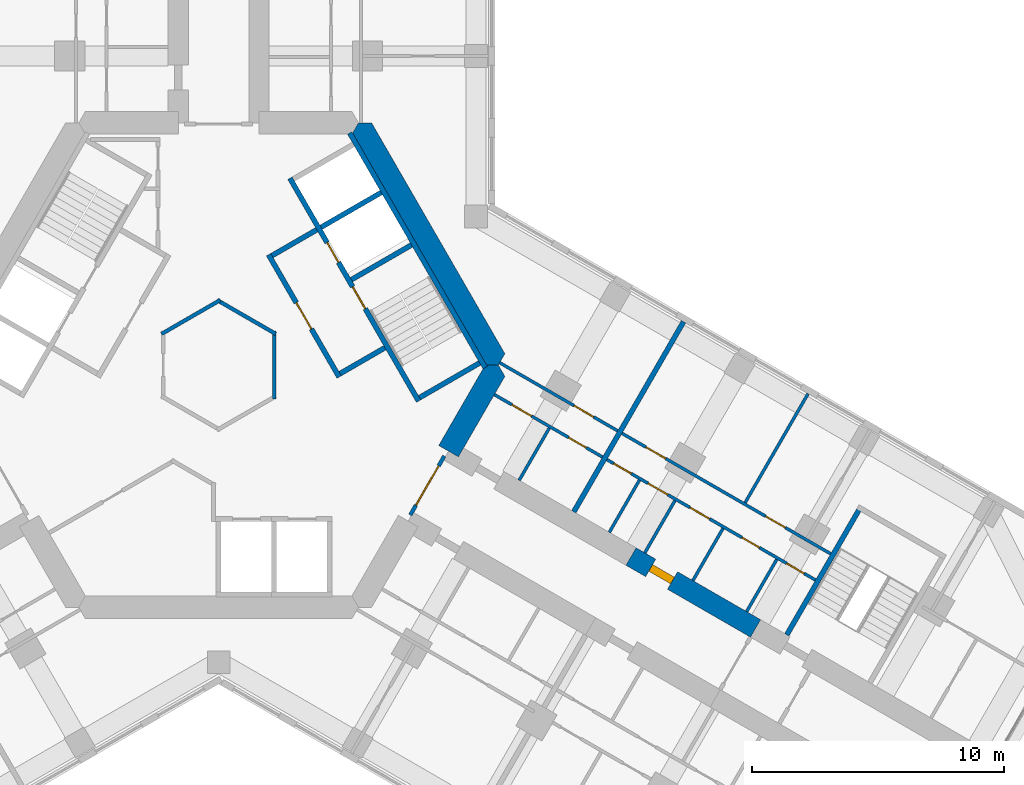
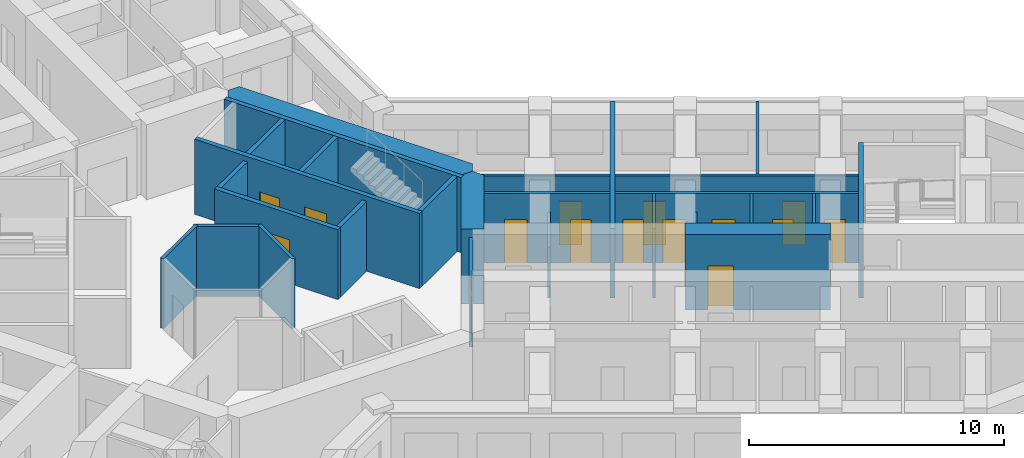
# One storey, part 15 of 19: 27 walls, 15 doors, 15 openings.
"""IFC4 building model written with IfcOpenShell, lengths in metres."""

from ifc_helpers import new_model, si_unit, direction, frame, frame_2d, origin, place, context, subcontext, project, spatial, polyline, rectangle, outline, extrude, material, layer, layer_set, type_object, element, fill, save


model = new_model("IFC4")

# Units and contexts
model_context = context("Model", 3, precision=1e-05, world=origin(), true_north=direction((0.0, 1.0)))
body_context = subcontext(model_context, "Body", "Model", "MODEL_VIEW")
ifc_project = project(units=[si_unit("LENGTHUNIT", "METRE"), si_unit("AREAUNIT", "SQUARE_METRE"), si_unit("VOLUMEUNIT", "CUBIC_METRE"), si_unit("PLANEANGLEUNIT", "RADIAN"), si_unit("MASSUNIT", "GRAM", prefix="KILO")], contexts=[model_context])

# Site, building, storey
site_placement = place(None, origin())
site = spatial("IfcSite", under=ifc_project, at=site_placement, CompositionType="ELEMENT")
building_placement = place(site_placement, origin())
building = spatial("IfcBuilding", under=site, at=building_placement, Name="Kosmar Iwan School Tower", CompositionType="ELEMENT")
storey_placement = place(building_placement, frame((0.0, 0.0, 138.199951171875)))
storey = spatial("IfcBuildingStorey", under=building, at=storey_placement, Name="L34", CompositionType="ELEMENT", Elevation=138.199951171875)

# Walls
ifc_material_1 = material(Name="Gypsum board on steel studs, fire-rated", Category="steel")
ifc_layer_1 = layer(ifc_material_1, 0.14990234375)
ifc_layer_set_1 = layer_set([ifc_layer_1], Name="Core room partition 150")
wall_type_1 = type_object("IfcWallType", Name="Core room partition 150", PredefinedType="PARTITIONING", material=ifc_layer_set_1)
for number, where, z_axis, x_axis, name in (
    (1, (-2.264892578125, 1.232666015625, 0.0), (0.0, 0.0, 1.0), (0.866011792348, 0.500023574959, 0.0), "Core room partition L34-CW11"),
    (2, (-0.06494140625, 2.577880859375, 0.0), (0.0, 0.0, 1.0), (0.866011792348, -0.500023574959, 0.0), "Core room partition L34-CW12"),
):
    element("IfcWall", number, at=place(storey_placement, frame(where, z_axis=z_axis, x_axis=x_axis)), inside=storey, type_object=wall_type_1, Name=name, PredefinedType="PARTITIONING", context=body_context, shape_type="SweptSolid", body=[
        extrude(rectangle(XDim=2.690185546875, YDim=0.14990234375, at=frame_2d((1.34521484375, 0.0))), origin(), (0.0, 0.0, 1.0), 3.35009765625),
    ])
wall_1_placement = place(storey_placement, frame((2.199951171875, 1.34521484375, 0.0), z_axis=(0.0, 0.0, 1.0), x_axis=(0.0, -1.0, 0.0)))
element("IfcWall", 3, at=wall_1_placement, inside=storey, type_object=wall_type_1, Name="Core room partition L34-CW13", PredefinedType="PARTITIONING", context=body_context, shape_type="SweptSolid", body=[
    extrude(rectangle(XDim=2.6904296875, YDim=0.14990234375, at=frame_2d((1.34521484375, 0.0))), origin(), (0.0, 0.0, 1.0), 3.35009765625),
])
ifc_material_2 = material(Name="Concrete C50/60", Category="concrete")
ifc_layer_2 = layer(ifc_material_2, 0.89990234375)
ifc_layer_set_2 = layer_set([ifc_layer_2], Name="Core wall 900")
wall_type_2 = type_object("IfcWallType", Name="Core wall 900", PredefinedType="SHEAR", material=ifc_layer_set_2)
wall_2_placement = place(storey_placement, origin())
element("IfcWall", 4, at=wall_2_placement, inside=storey, type_object=wall_type_2, Name="Core wall F030", PredefinedType="SHEAR", context=body_context, shape_type="SweptSolid", body=[
    extrude(outline(polyline([(10.5654296875, 0.0), (11.085205078125, 0.0), (11.344970703125, 0.449951171875), (6.062255859375, 9.60009765625), (5.54248046875, 9.60009765625), (5.28271484375, 9.14990234375), (10.5654296875, 0.0)])), origin(), (0.0, 0.0, 1.0), 3.60009765625),
])
wall_3_placement = place(storey_placement, origin())
element("IfcWall", 5, at=wall_3_placement, inside=storey, type_object=wall_type_2, Name="Core wall F330b", PredefinedType="SHEAR", context=body_context, shape_type="SweptSolid", body=[
    extrude(outline(polyline([(9.503662109375, -3.639404296875), (11.344970703125, -0.449951171875), (11.085205078125, 0.0), (10.5654296875, 0.0), (8.72412109375, -3.189453125), (9.503662109375, -3.639404296875)])), origin(), (0.0, 0.0, 1.0), 3.60009765625),
])

# Wall, opening, door
ifc_material_3 = material(Name="Concrete C50/60", Category="concrete")
ifc_layer_3 = layer(ifc_material_3, 0.800048828125)
ifc_layer_set_3 = layer_set([ifc_layer_3], Name="Corridor buttress wall 800")
wall_type_3 = type_object("IfcWallType", Name="Corridor buttress wall 800", PredefinedType="SHEAR", material=ifc_layer_set_3)
wall_4_placement = place(storey_placement, frame((16.34521484375, -7.58935546875, 0.0), z_axis=(0.0, 0.0, 1.0), x_axis=(0.866015111908, -0.50001782563, 0.0)))
wall_4 = element("IfcWall", 6, at=wall_4_placement, inside=storey, type_object=wall_type_3, Name="Corridor wall CL bay 2", PredefinedType="SHEAR", context=body_context, shape_type="SweptSolid", body=[
    extrude(rectangle(XDim=5.699951171875, YDim=0.800048828125, at=frame_2d((2.85009765625, 0.0))), origin(), (0.0, 0.0, 1.0), 3.60009765625),
])
opening_1_placement = place(wall_4_placement, frame((0.89990234375, 0.0, 0.0)))
opening_1 = element("IfcOpeningElement", 7, at=opening_1_placement, cuts=wall_4, Name="Opening D1", PredefinedType="OPENING", context=body_context, shape_type="SweptSolid", body=[
    extrude(rectangle(XDim=1.0, YDim=2.10009765625, at=frame_2d((0.5, 1.050048828125))), frame((0.0, 0.412109375, 0.0), z_axis=(0.0, -1.0, 0.0), x_axis=(1.0, 0.0, 0.0)), (0.0, 0.0, 1.0), 0.823974609375),
])
ifc_material_4 = material(Name="Timber fire door in steel frame", Category="steel")
door_type_1 = type_object("IfcDoorType", Name="Flat entrance door 1000x2100", OperationType="SINGLE_SWING_LEFT", PredefinedType="DOOR", material=ifc_material_4)
door_1_placement = place(opening_1_placement, origin())
door_1 = element("IfcDoor", 8, at=door_1_placement, inside=storey, type_object=door_type_1, Name="Flat L34-CL2 entrance door", OperationType="SINGLE_SWING_LEFT", OverallHeight=2.10009765625, OverallWidth=1.0, PredefinedType="DOOR", context=body_context, shape_type="SweptSolid", body=[
    extrude(rectangle(XDim=1.0, YDim=2.10009765625, at=frame_2d((0.5, 1.050048828125))), frame((0.0, 0.14990234375, 0.0), z_axis=(0.0, -1.0, 0.0), x_axis=(1.0, 0.0, 0.0)), (0.0, 0.0, 1.0), 0.300048828125),
])
fill(opening_1, door_1)

ifc_material_5 = material(Name="Steel framed glazed screen", Category="steel")
ifc_layer_4 = layer(ifc_material_5, 0.14990234375)
ifc_layer_set_4 = layer_set([ifc_layer_4], Name="Corridor screen wall 150")
wall_type_4 = type_object("IfcWallType", Name="Corridor screen wall 150", PredefinedType="PARTITIONING", material=ifc_layer_set_4)
wall_5_placement = place(storey_placement, frame((7.595458984375, -5.944091796875, 0.0), z_axis=(0.0, 0.0, 1.0), x_axis=(0.500048589285, 0.86599734893, 0.0)))
wall_5 = element("IfcWall", 9, at=wall_5_placement, inside=storey, type_object=wall_type_4, Name="Corridor screen C L34", PredefinedType="PARTITIONING", context=body_context, shape_type="SweptSolid", body=[
    extrude(rectangle(XDim=2.699951171875, YDim=0.14990234375, at=frame_2d((1.35009765625, 0.0))), origin(), (0.0, 0.0, 1.0), 3.35009765625),
])
opening_2_placement = place(wall_5_placement, frame((0.449951171875, 0.0, 0.0)))
opening_2 = element("IfcOpeningElement", 10, at=opening_2_placement, cuts=wall_5, Name="Opening D9", PredefinedType="OPENING", context=body_context, shape_type="SweptSolid", body=[
    extrude(rectangle(XDim=1.800048828125, YDim=2.10009765625, at=frame_2d((0.89990234375, 1.050048828125))), frame((0.0, 0.0869140625, 0.0), z_axis=(0.0, -1.0, 0.0), x_axis=(1.0, 0.0, 0.0)), (0.0, 0.0, 1.0), 0.173828125),
])
ifc_material_6 = material(Name="Steel framed glazed smoke door", Category="steel")
door_type_2 = type_object("IfcDoorType", Name="Corridor smoke door pair 1800x2100", OperationType="DOUBLE_DOOR_DOUBLE_SWING", PredefinedType="DOOR", material=ifc_material_6)
door_2_placement = place(opening_2_placement, origin())
door_2 = element("IfcDoor", 11, at=door_2_placement, inside=storey, type_object=door_type_2, Name="Corridor doors C L34", OperationType="DOUBLE_DOOR_DOUBLE_SWING", OverallHeight=2.10009765625, OverallWidth=1.800048828125, PredefinedType="DOOR", context=body_context, shape_type="SweptSolid", body=[
    extrude(rectangle(XDim=1.800048828125, YDim=2.10009765625, at=frame_2d((0.89990234375, 1.050048828125))), frame((0.0, 0.02490234375, 0.0), z_axis=(0.0, -1.0, 0.0), x_axis=(1.0, 0.0, 0.0)), (0.0, 0.0, 1.0), 0.050048828125),
])
fill(opening_2, door_2)

# Wall, openings, doors
ifc_material_7 = material(Name="Gypsum board on steel studs", Category="steel")
ifc_layer_5 = layer(ifc_material_7, 0.1201171875)
ifc_layer_set_5 = layer_set([ifc_layer_5], Name="Dwelling partition 120")
wall_type_5 = type_object("IfcWallType", Name="Dwelling partition 120", PredefinedType="PARTITIONING", material=ifc_layer_set_5)
wall_6_placement = place(storey_placement, frame((10.928466796875, -1.171142578125, 0.0), z_axis=(0.0, 0.0, 1.0), x_axis=(0.866018855338, -0.500011342071, 0.0)))
wall_6 = element("IfcWall", 12, at=wall_6_placement, inside=storey, type_object=wall_type_5, Name="Partition L34-CL1-W1", PredefinedType="PARTITIONING", context=body_context, shape_type="SweptSolid", body=[
    extrude(rectangle(XDim=4.9501953125, YDim=0.1201171875, at=frame_2d((2.47509765625, 0.0))), origin(), (0.0, 0.0, 1.0), 3.35009765625),
])
opening_3_placement = place(wall_6_placement, frame((0.800048828125, 0.0, 0.0)))
opening_3 = element("IfcOpeningElement", 13, at=opening_3_placement, cuts=wall_6, Name="Opening D2", PredefinedType="OPENING", context=body_context, shape_type="SweptSolid", body=[
    extrude(rectangle(XDim=0.89990234375, YDim=2.10009765625, at=frame_2d((0.449951171875, 1.050048828125))), frame((0.0, 0.072021484375, 0.0), z_axis=(0.0, -1.0, 0.0), x_axis=(1.0, 0.0, 0.0)), (0.0, 0.0, 1.0), 0.14404296875),
])
opening_4_placement = place(wall_6_placement, frame((3.39990234375, 0.0, 0.0)))
opening_4 = element("IfcOpeningElement", 14, at=opening_4_placement, cuts=wall_6, Name="Opening D3", PredefinedType="OPENING", context=body_context, shape_type="SweptSolid", body=[
    extrude(rectangle(XDim=0.800048828125, YDim=2.10009765625, at=frame_2d((0.39990234375, 1.050048828125))), frame((0.0, 0.072021484375, 0.0), z_axis=(0.0, -1.0, 0.0), x_axis=(1.0, 0.0, 0.0)), (0.0, 0.0, 1.0), 0.14404296875),
])
ifc_material_8 = material(Name="Timber door in timber frame", Category="wood")
door_type_3 = type_object("IfcDoorType", Name="Internal door 900x2100", OperationType="SINGLE_SWING_LEFT", PredefinedType="DOOR", material=ifc_material_8)
door_3_placement = place(opening_3_placement, origin())
door_3 = element("IfcDoor", 15, at=door_3_placement, inside=storey, type_object=door_type_3, Name="Entrance hall door L34-CL1-S1", OperationType="SINGLE_SWING_LEFT", OverallHeight=2.10009765625, OverallWidth=0.89990234375, PredefinedType="DOOR", context=body_context, shape_type="SweptSolid", body=[
    extrude(rectangle(XDim=0.89990234375, YDim=2.10009765625, at=frame_2d((0.449951171875, 1.050048828125))), frame((0.0, 0.02490234375, 0.0), z_axis=(0.0, -1.0, 0.0), x_axis=(1.0, 0.0, 0.0)), (0.0, 0.0, 1.0), 0.050048828125),
])
fill(opening_3, door_3)
ifc_material_9 = material(Name="Timber door in timber frame", Category="wood")
door_type_4 = type_object("IfcDoorType", Name="Sanitary room door 800x2100", OperationType="SINGLE_SWING_LEFT", PredefinedType="DOOR", material=ifc_material_9)
door_4_placement = place(opening_4_placement, origin())
door_4 = element("IfcDoor", 16, at=door_4_placement, inside=storey, type_object=door_type_4, Name="Bathroom door L34-CL1-S2", OperationType="SINGLE_SWING_RIGHT", OverallHeight=2.10009765625, OverallWidth=0.800048828125, PredefinedType="DOOR", context=body_context, shape_type="SweptSolid", body=[
    extrude(rectangle(XDim=0.800048828125, YDim=2.10009765625, at=frame_2d((0.39990234375, 1.050048828125))), frame((0.0, 0.02490234375, 0.0), z_axis=(0.0, -1.0, 0.0), x_axis=(1.0, 0.0, 0.0)), (0.0, 0.0, 1.0), 0.050048828125),
])
fill(opening_4, door_4)

# Wall, opening, door
wall_7_placement = place(storey_placement, frame((11.138916015625, 0.093017578125, 0.0), z_axis=(0.0, 0.0, 1.0), x_axis=(0.866028230842, -0.499995103361, 0.0)))
wall_7 = element("IfcWall", 17, at=wall_7_placement, inside=storey, type_object=wall_type_5, Name="Partition L34-CL1-W2", PredefinedType="PARTITIONING", context=body_context, shape_type="SweptSolid", body=[
    extrude(rectangle(XDim=5.39990234375, YDim=0.1201171875, at=frame_2d((2.699951171875, 0.0))), origin(), (0.0, 0.0, 1.0), 3.35009765625),
])
opening_5_placement = place(wall_7_placement, frame((3.39990234375, 0.0, 0.0)))
opening_5 = element("IfcOpeningElement", 18, at=opening_5_placement, cuts=wall_7, Name="Opening D2", PredefinedType="OPENING", context=body_context, shape_type="SweptSolid", body=[
    extrude(rectangle(XDim=0.89990234375, YDim=2.10009765625, at=frame_2d((0.449951171875, 1.050048828125))), frame((0.0, 0.072021484375, 0.0), z_axis=(0.0, -1.0, 0.0), x_axis=(1.0, 0.0, 0.0)), (0.0, 0.0, 1.0), 0.14404296875),
])
door_5_placement = place(opening_5_placement, origin())
door_5 = element("IfcDoor", 19, at=door_5_placement, inside=storey, type_object=door_type_3, Name="Studio living room and kitchen door L34-CL1-F1", OperationType="SINGLE_SWING_RIGHT", OverallHeight=2.10009765625, OverallWidth=0.89990234375, PredefinedType="DOOR", context=body_context, shape_type="SweptSolid", body=[
    extrude(rectangle(XDim=0.89990234375, YDim=2.10009765625, at=frame_2d((0.449951171875, 1.050048828125))), frame((0.0, 0.02490234375, 0.0), z_axis=(0.0, -1.0, 0.0), x_axis=(1.0, 0.0, 0.0)), (0.0, 0.0, 1.0), 0.050048828125),
])
fill(opening_5, door_5)

# Wall
wall_8_placement = place(storey_placement, frame((11.911865234375, -4.56787109375, 0.0), z_axis=(0.0, 0.0, 1.0), x_axis=(0.500017192868, 0.86601547725, 0.0)))
element("IfcWall", 20, at=wall_8_placement, inside=storey, type_object=wall_type_5, Name="Partition L34-CL1-Y1", PredefinedType="PARTITIONING", context=body_context, shape_type="SweptSolid", body=[
    extrude(rectangle(XDim=2.39013671875, YDim=0.1201171875, at=frame_2d((1.195068359375, 0.0))), origin(), (0.0, 0.0, 1.0), 2.449951171875),
])

# Wall, openings, doors
wall_9_placement = place(storey_placement, frame((15.388671875, -3.74609375, 0.0), z_axis=(0.0, 0.0, 1.0), x_axis=(0.866017851049, -0.500013081493, 0.0)))
wall_9 = element("IfcWall", 21, at=wall_9_placement, inside=storey, type_object=wall_type_5, Name="Partition L34-CL2-W1", PredefinedType="PARTITIONING", context=body_context, shape_type="SweptSolid", body=[
    extrude(rectangle(XDim=9.550048828125, YDim=0.1201171875, at=frame_2d((4.77490234375, 0.0))), origin(), (0.0, 0.0, 1.0), 3.35009765625),
])
opening_6_placement = place(wall_9_placement, frame((0.3125, 0.0, 0.0)))
opening_6 = element("IfcOpeningElement", 22, at=opening_6_placement, cuts=wall_9, Name="Opening D3", PredefinedType="OPENING", context=body_context, shape_type="SweptSolid", body=[
    extrude(rectangle(XDim=0.800048828125, YDim=2.10009765625, at=frame_2d((0.39990234375, 1.050048828125))), frame((0.0, 0.072021484375, 0.0), z_axis=(0.0, -1.0, 0.0), x_axis=(1.0, 0.0, 0.0)), (0.0, 0.0, 1.0), 0.14404296875),
])
opening_7_placement = place(wall_9_placement, frame((1.887451171875, 0.0, 0.0)))
opening_7 = element("IfcOpeningElement", 23, at=opening_7_placement, cuts=wall_9, Name="Opening D2", PredefinedType="OPENING", context=body_context, shape_type="SweptSolid", body=[
    extrude(rectangle(XDim=0.89990234375, YDim=2.10009765625, at=frame_2d((0.449951171875, 1.050048828125))), frame((0.0, 0.072021484375, 0.0), z_axis=(0.0, -1.0, 0.0), x_axis=(1.0, 0.0, 0.0)), (0.0, 0.0, 1.0), 0.14404296875),
])
opening_8_placement = place(wall_9_placement, frame((3.800048828125, 0.0, 0.0)))
opening_8 = element("IfcOpeningElement", 24, at=opening_8_placement, cuts=wall_9, Name="Opening D2", PredefinedType="OPENING", context=body_context, shape_type="SweptSolid", body=[
    extrude(rectangle(XDim=0.89990234375, YDim=2.10009765625, at=frame_2d((0.449951171875, 1.050048828125))), frame((0.0, 0.072021484375, 0.0), z_axis=(0.0, -1.0, 0.0), x_axis=(1.0, 0.0, 0.0)), (0.0, 0.0, 1.0), 0.14404296875),
])
opening_9_placement = place(wall_9_placement, frame((6.179931640625, 0.0, 0.0)))
opening_9 = element("IfcOpeningElement", 25, at=opening_9_placement, cuts=wall_9, Name="Opening D3", PredefinedType="OPENING", context=body_context, shape_type="SweptSolid", body=[
    extrude(rectangle(XDim=0.800048828125, YDim=2.10009765625, at=frame_2d((0.39990234375, 1.050048828125))), frame((0.0, 0.072021484375, 0.0), z_axis=(0.0, -1.0, 0.0), x_axis=(1.0, 0.0, 0.0)), (0.0, 0.0, 1.0), 0.14404296875),
])
opening_10_placement = place(wall_9_placement, frame((8.22998046875, 0.0, 0.0)))
opening_10 = element("IfcOpeningElement", 26, at=opening_10_placement, cuts=wall_9, Name="Opening D3", PredefinedType="OPENING", context=body_context, shape_type="SweptSolid", body=[
    extrude(rectangle(XDim=0.800048828125, YDim=2.10009765625, at=frame_2d((0.39990234375, 1.050048828125))), frame((0.0, 0.072021484375, 0.0), z_axis=(0.0, -1.0, 0.0), x_axis=(1.0, 0.0, 0.0)), (0.0, 0.0, 1.0), 0.14404296875),
])
door_6_placement = place(opening_7_placement, frame((0.89990234375, 0.0, 0.0), z_axis=(0.0, 0.0, 1.0), x_axis=(-1.0, 0.0, 0.0)))
door_6 = element("IfcDoor", 27, at=door_6_placement, inside=storey, type_object=door_type_3, Name="Pantry door L34-CL2-S2", OperationType="SINGLE_SWING_RIGHT", OverallHeight=2.10009765625, OverallWidth=0.89990234375, PredefinedType="DOOR", context=body_context, shape_type="SweptSolid", body=[
    extrude(rectangle(XDim=0.89990234375, YDim=2.10009765625, at=frame_2d((0.449951171875, 1.050048828125))), frame((0.0, 0.02490234375, 0.0), z_axis=(0.0, -1.0, 0.0), x_axis=(1.0, 0.0, 0.0)), (0.0, 0.0, 1.0), 0.050048828125),
])
fill(opening_7, door_6)
door_7_placement = place(opening_8_placement, origin())
door_7 = element("IfcDoor", 28, at=door_7_placement, inside=storey, type_object=door_type_3, Name="Entrance hall door L34-CL2-S3", OperationType="SINGLE_SWING_LEFT", OverallHeight=2.10009765625, OverallWidth=0.89990234375, PredefinedType="DOOR", context=body_context, shape_type="SweptSolid", body=[
    extrude(rectangle(XDim=0.89990234375, YDim=2.10009765625, at=frame_2d((0.449951171875, 1.050048828125))), frame((0.0, 0.02490234375, 0.0), z_axis=(0.0, -1.0, 0.0), x_axis=(1.0, 0.0, 0.0)), (0.0, 0.0, 1.0), 0.050048828125),
])
fill(opening_8, door_7)
door_8_placement = place(opening_6_placement, origin())
door_8 = element("IfcDoor", 29, at=door_8_placement, inside=storey, type_object=door_type_4, Name="Store door L34-CL2-S1", OperationType="SINGLE_SWING_LEFT", OverallHeight=2.10009765625, OverallWidth=0.800048828125, PredefinedType="DOOR", context=body_context, shape_type="SweptSolid", body=[
    extrude(rectangle(XDim=0.800048828125, YDim=2.10009765625, at=frame_2d((0.39990234375, 1.050048828125))), frame((0.0, 0.02490234375, 0.0), z_axis=(0.0, -1.0, 0.0), x_axis=(1.0, 0.0, 0.0)), (0.0, 0.0, 1.0), 0.050048828125),
])
fill(opening_6, door_8)
door_9_placement = place(opening_9_placement, origin())
door_9 = element("IfcDoor", 30, at=door_9_placement, inside=storey, type_object=door_type_4, Name="Bathroom door L34-CL2-S4", OperationType="SINGLE_SWING_RIGHT", OverallHeight=2.10009765625, OverallWidth=0.800048828125, PredefinedType="DOOR", context=body_context, shape_type="SweptSolid", body=[
    extrude(rectangle(XDim=0.800048828125, YDim=2.10009765625, at=frame_2d((0.39990234375, 1.050048828125))), frame((0.0, 0.02490234375, 0.0), z_axis=(0.0, -1.0, 0.0), x_axis=(1.0, 0.0, 0.0)), (0.0, 0.0, 1.0), 0.050048828125),
])
fill(opening_9, door_9)
door_10_placement = place(opening_10_placement, origin())
door_10 = element("IfcDoor", 31, at=door_10_placement, inside=storey, type_object=door_type_4, Name="WC door L34-CL2-S5", OperationType="SINGLE_SWING_RIGHT", OverallHeight=2.10009765625, OverallWidth=0.800048828125, PredefinedType="DOOR", context=body_context, shape_type="SweptSolid", body=[
    extrude(rectangle(XDim=0.800048828125, YDim=2.10009765625, at=frame_2d((0.39990234375, 1.050048828125))), frame((0.0, 0.02490234375, 0.0), z_axis=(0.0, -1.0, 0.0), x_axis=(1.0, 0.0, 0.0)), (0.0, 0.0, 1.0), 0.050048828125),
])
fill(opening_10, door_10)

wall_10_placement = place(storey_placement, frame((15.988525390625, -2.70703125, 0.0), z_axis=(0.0, 0.0, 1.0), x_axis=(0.866028920859, -0.499993908199, 0.0)))
wall_10 = element("IfcWall", 32, at=wall_10_placement, inside=storey, type_object=wall_type_5, Name="Partition L34-CL2-W2", PredefinedType="PARTITIONING", context=body_context, shape_type="SweptSolid", body=[
    extrude(rectangle(XDim=9.5498046875, YDim=0.1201171875, at=frame_2d((4.77490234375, 0.0))), origin(), (0.0, 0.0, 1.0), 3.35009765625),
])
opening_11_placement = place(wall_10_placement, frame((1.10009765625, 0.0, 0.0)))
opening_11 = element("IfcOpeningElement", 33, at=opening_11_placement, cuts=wall_10, Name="Opening D2", PredefinedType="OPENING", context=body_context, shape_type="SweptSolid", body=[
    extrude(rectangle(XDim=0.89990234375, YDim=2.10009765625, at=frame_2d((0.449951171875, 1.050048828125))), frame((0.0, 0.072021484375, 0.0), z_axis=(0.0, -1.0, 0.0), x_axis=(1.0, 0.0, 0.0)), (0.0, 0.0, 1.0), 0.14404296875),
])
opening_12_placement = place(wall_10_placement, frame((6.574951171875, 0.0, 0.0)))
opening_12 = element("IfcOpeningElement", 34, at=opening_12_placement, cuts=wall_10, Name="Opening D2", PredefinedType="OPENING", context=body_context, shape_type="SweptSolid", body=[
    extrude(rectangle(XDim=0.89990234375, YDim=2.10009765625, at=frame_2d((0.449951171875, 1.050048828125))), frame((0.0, 0.072021484375, 0.0), z_axis=(0.0, -1.0, 0.0), x_axis=(1.0, 0.0, 0.0)), (0.0, 0.0, 1.0), 0.14404296875),
])
door_11_placement = place(opening_11_placement, origin())
door_11 = element("IfcDoor", 35, at=door_11_placement, inside=storey, type_object=door_type_3, Name="Family room and kitchen door L34-CL2-F1", OperationType="SINGLE_SWING_LEFT", OverallHeight=2.10009765625, OverallWidth=0.89990234375, PredefinedType="DOOR", context=body_context, shape_type="SweptSolid", body=[
    extrude(rectangle(XDim=0.89990234375, YDim=2.10009765625, at=frame_2d((0.449951171875, 1.050048828125))), frame((0.0, 0.02490234375, 0.0), z_axis=(0.0, -1.0, 0.0), x_axis=(1.0, 0.0, 0.0)), (0.0, 0.0, 1.0), 0.050048828125),
])
fill(opening_11, door_11)
door_12_placement = place(opening_12_placement, origin())
door_12 = element("IfcDoor", 36, at=door_12_placement, inside=storey, type_object=door_type_3, Name="Bedroom 1 door L34-CL2-F2", OperationType="SINGLE_SWING_RIGHT", OverallHeight=2.10009765625, OverallWidth=0.89990234375, PredefinedType="DOOR", context=body_context, shape_type="SweptSolid", body=[
    extrude(rectangle(XDim=0.89990234375, YDim=2.10009765625, at=frame_2d((0.449951171875, 1.050048828125))), frame((0.0, 0.02490234375, 0.0), z_axis=(0.0, -1.0, 0.0), x_axis=(1.0, 0.0, 0.0)), (0.0, 0.0, 1.0), 0.050048828125),
])
fill(opening_12, door_12)

# Walls
wall_11_placement = place(storey_placement, frame((20.868408203125, -5.455078125, 0.0), z_axis=(0.0, 0.0, 1.0), x_axis=(0.499975153383, 0.86603974851, 0.0)))
element("IfcWall", 37, at=wall_11_placement, inside=storey, type_object=wall_type_5, Name="Partition L34-CL2-X1", PredefinedType="PARTITIONING", context=body_context, shape_type="SweptSolid", body=[
    extrude(rectangle(XDim=4.989990234375, YDim=0.1201171875, at=frame_2d((2.4951171875, 0.0))), origin(), (0.0, 0.0, 1.0), 3.35009765625),
])
wall_12_placement = place(storey_placement, frame((15.484375, -6.63037109375, 0.0), z_axis=(0.0, 0.0, 1.0), x_axis=(0.499940577336, 0.866059708757, 0.0)))
element("IfcWall", 38, at=wall_12_placement, inside=storey, type_object=wall_type_5, Name="Partition L34-CL2-Y1", PredefinedType="PARTITIONING", context=body_context, shape_type="SweptSolid", body=[
    extrude(rectangle(XDim=2.389892578125, YDim=0.1201171875, at=frame_2d((1.19482421875, 0.0))), origin(), (0.0, 0.0, 1.0), 3.35009765625),
])
wall_13_placement = place(storey_placement, frame((16.8916015625, -7.44287109375, 0.0), z_axis=(0.0, 0.0, 1.0), x_axis=(0.500017192868, 0.86601547725, 0.0)))
element("IfcWall", 39, at=wall_13_placement, inside=storey, type_object=wall_type_5, Name="Partition L34-CL2-Y2", PredefinedType="PARTITIONING", context=body_context, shape_type="SweptSolid", body=[
    extrude(rectangle(XDim=2.39013671875, YDim=0.1201171875, at=frame_2d((1.195068359375, 0.0))), origin(), (0.0, 0.0, 1.0), 2.449951171875),
])
for number, where, z_axis, x_axis, name in (
    (40, (18.796875, -8.54296875, 0.0), (0.0, 0.0, 1.0), (0.500017192868, 0.86601547725, 0.0), "Partition L34-CL2-Y3"),
    (41, (20.92724609375, -9.77294921875, 0.0), (0.0, 0.0, 1.0), (0.500017192868, 0.86601547725, 0.0), "Partition L34-CL2-Y4"),
):
    element("IfcWall", number, at=place(storey_placement, frame(where, z_axis=z_axis, x_axis=x_axis)), inside=storey, type_object=wall_type_5, Name=name, PredefinedType="PARTITIONING", context=body_context, shape_type="SweptSolid", body=[
        extrude(rectangle(XDim=2.39013671875, YDim=0.1201171875, at=frame_2d((1.195068359375, 0.0))), origin(), (0.0, 0.0, 1.0), 3.35009765625),
    ])
ifc_material_10 = material(Name="Concrete C35/45", Category="concrete")
ifc_layer_6 = layer(ifc_material_10, 0.199951171875)
ifc_layer_set_6 = layer_set([ifc_layer_6], Name="Escape stair wall 200")
wall_type_6 = type_object("IfcWallType", Name="Escape stair wall 200", PredefinedType="SHEAR", material=ifc_layer_set_6)
wall_14_placement = place(storey_placement, frame((22.520751953125, -10.69287109375, 0.0), z_axis=(0.0, 0.0, 1.0), x_axis=(0.500006628179, 0.86602157697, 0.0)))
element("IfcWall", 42, at=wall_14_placement, inside=storey, type_object=wall_type_6, Name="Stair WS3 wall", PredefinedType="SHEAR", context=body_context, shape_type="SweptSolid", body=[
    extrude(rectangle(XDim=5.89990234375, YDim=0.199951171875, at=frame_2d((2.949951171875, 0.0))), origin(), (0.0, 0.0, 1.0), 3.330078125),
])

# Wall, opening, door
ifc_material_11 = material(Name="Concrete block masonry", Category="masonry")
ifc_layer_7 = layer(ifc_material_11, 0.199951171875)
ifc_layer_set_7 = layer_set([ifc_layer_7], Name="Fire lobby wall 200")
wall_type_7 = type_object("IfcWallType", Name="Fire lobby wall 200", PredefinedType="PARTITIONING", material=ifc_layer_set_7)
wall_15_placement = place(storey_placement, frame((4.777587890625, -0.474853515625, 0.0), z_axis=(0.0, 0.0, 1.0), x_axis=(-0.500016814911, 0.866015695474, 0.0)))
wall_15 = element("IfcWall", 43, at=wall_15_placement, inside=storey, type_object=wall_type_7, Name="Firefighting lobby wall ST1", PredefinedType="PARTITIONING", context=body_context, shape_type="SweptSolid", body=[
    extrude(rectangle(XDim=5.599853515625, YDim=0.199951171875, at=frame_2d((2.7998046875, 0.0))), origin(), (0.0, 0.0, 1.0), 3.35009765625),
])
opening_13_placement = place(wall_15_placement, frame((2.199951171875, 0.0, 0.0)))
opening_13 = element("IfcOpeningElement", 44, at=opening_13_placement, cuts=wall_15, Name="Opening D7", PredefinedType="OPENING", context=body_context, shape_type="SweptSolid", body=[
    extrude(rectangle(XDim=1.199951171875, YDim=2.10009765625, at=frame_2d((0.60009765625, 1.050048828125))), frame((0.0, 0.112060546875, 0.0), z_axis=(0.0, -1.0, 0.0), x_axis=(1.0, 0.0, 0.0)), (0.0, 0.0, 1.0), 0.223876953125),
])
ifc_material_12 = material(Name="Steel fire door", Category="steel")
door_type_5 = type_object("IfcDoorType", Name="Fire lobby door 1200x2100", OperationType="SINGLE_SWING_LEFT", PredefinedType="DOOR", material=ifc_material_12)
door_13_placement = place(opening_13_placement, origin())
door_13 = element("IfcDoor", 45, at=door_13_placement, inside=storey, type_object=door_type_5, Name="Firefighting lobby door ST1 L34", OperationType="SINGLE_SWING_LEFT", OverallHeight=2.10009765625, OverallWidth=1.199951171875, PredefinedType="DOOR", context=body_context, shape_type="SweptSolid", body=[
    extrude(rectangle(XDim=1.199951171875, YDim=2.10009765625, at=frame_2d((0.60009765625, 1.050048828125))), frame((0.0, 0.02490234375, 0.0), z_axis=(0.0, -1.0, 0.0), x_axis=(1.0, 0.0, 0.0)), (0.0, 0.0, 1.0), 0.050048828125),
])
fill(opening_13, door_13)

# Walls
wall_16_placement = place(storey_placement, frame((4.814208984375, -0.33837890625, 0.0), z_axis=(0.0, 0.0, 1.0), x_axis=(0.865969381856, 0.500097020274, 0.0)))
element("IfcWall", 46, at=wall_16_placement, inside=storey, type_object=wall_type_7, Name="Firefighting lobby wall ST1", PredefinedType="PARTITIONING", context=body_context, shape_type="SweptSolid", body=[
    extrude(rectangle(XDim=2.0498046875, YDim=0.199951171875, at=frame_2d((1.02490234375, 0.0))), origin(), (0.0, 0.0, 1.0), 3.35009765625),
])
wall_17_placement = place(storey_placement, frame((2.114013671875, 4.33837890625, 0.0), z_axis=(0.0, 0.0, 1.0), x_axis=(0.866050731258, 0.499956128963, 0.0)))
element("IfcWall", 47, at=wall_17_placement, inside=storey, type_object=wall_type_7, Name="Firefighting lobby wall ST1", PredefinedType="PARTITIONING", context=body_context, shape_type="SweptSolid", body=[
    extrude(rectangle(XDim=2.050048828125, YDim=0.199951171875, at=frame_2d((1.02490234375, 0.0))), origin(), (0.0, 0.0, 1.0), 3.35009765625),
])

# Wall, openings, doors
ifc_material_13 = material(Name="Concrete C50/60", Category="concrete")
ifc_layer_8 = layer(ifc_material_13, 0.199951171875)
ifc_layer_set_8 = layer_set([ifc_layer_8], Name="Lift shaft wall 200")
wall_type_8 = type_object("IfcWallType", Name="Lift shaft wall 200", PredefinedType="SHEAR", material=ifc_layer_set_8)
wall_18_placement = place(storey_placement, frame((7.926025390625, -1.42822265625, 0.0), z_axis=(0.0, 0.0, 1.0), x_axis=(-0.499998023675, 0.866026544813, 0.0)))
wall_18 = element("IfcWall", 48, at=wall_18_placement, inside=storey, type_object=wall_type_8, Name="Lift and stair front wall AC", PredefinedType="SHEAR", context=body_context, shape_type="SweptSolid", body=[
    extrude(rectangle(XDim=10.19970703125, YDim=0.199951171875, at=frame_2d((5.099853515625, 0.0))), origin(), (0.0, 0.0, 1.0), 3.60009765625),
])
opening_14_placement = place(wall_18_placement, frame((6.35009765625, 0.0, 0.0)))
opening_14 = element("IfcOpeningElement", 49, at=opening_14_placement, cuts=wall_18, Name="Opening LD2", PredefinedType="OPENING", context=body_context, shape_type="SweptSolid", body=[
    extrude(rectangle(XDim=0.89990234375, YDim=2.10009765625, at=frame_2d((0.449951171875, 1.050048828125))), frame((0.0, 0.112060546875, 0.0), z_axis=(0.0, -1.0, 0.0), x_axis=(1.0, 0.0, 0.0)), (0.0, 0.0, 1.0), 0.223876953125),
])
opening_15_placement = place(wall_18_placement, frame((4.22998046875, 0.0, 0.0)))
opening_15 = element("IfcOpeningElement", 50, at=opening_15_placement, cuts=wall_18, Name="Opening D6", PredefinedType="OPENING", context=body_context, shape_type="SweptSolid", body=[
    extrude(rectangle(XDim=1.0, YDim=2.10009765625, at=frame_2d((0.5, 1.050048828125))), frame((0.0, 0.112060546875, 0.0), z_axis=(0.0, -1.0, 0.0), x_axis=(1.0, 0.0, 0.0)), (0.0, 0.0, 1.0), 0.223876953125),
])
ifc_material_14 = material(Name="Stainless steel sliding lift door", Category="steel")
door_type_6 = type_object("IfcDoorType", Name="Firefighting lift landing door 900x2100", OperationType="SLIDING_TO_LEFT", PredefinedType="DOOR", material=ifc_material_14)
door_14_placement = place(opening_14_placement, origin())
door_14 = element("IfcDoor", 51, at=door_14_placement, inside=storey, type_object=door_type_6, Name="Lift FF1 landing door L34", OperationType="SLIDING_TO_LEFT", OverallHeight=2.10009765625, OverallWidth=0.89990234375, PredefinedType="DOOR", context=body_context, shape_type="SweptSolid", body=[
    extrude(rectangle(XDim=0.89990234375, YDim=2.10009765625, at=frame_2d((0.449951171875, 1.050048828125))), frame((0.0, 0.02490234375, 0.0), z_axis=(0.0, -1.0, 0.0), x_axis=(1.0, 0.0, 0.0)), (0.0, 0.0, 1.0), 0.050048828125),
])
fill(opening_14, door_14)
ifc_material_15 = material(Name="Steel fire door", Category="steel")
door_type_7 = type_object("IfcDoorType", Name="Stair door 1000x2100", OperationType="SINGLE_SWING_LEFT", PredefinedType="DOOR", material=ifc_material_15)
door_15_placement = place(opening_15_placement, origin())
door_15 = element("IfcDoor", 52, at=door_15_placement, inside=storey, type_object=door_type_7, Name="Stair ST1 door L34", OperationType="SINGLE_SWING_LEFT", OverallHeight=2.10009765625, OverallWidth=1.0, PredefinedType="DOOR", context=body_context, shape_type="SweptSolid", body=[
    extrude(rectangle(XDim=1.0, YDim=2.10009765625, at=frame_2d((0.5, 1.050048828125))), frame((0.0, 0.02490234375, 0.0), z_axis=(0.0, -1.0, 0.0), x_axis=(1.0, 0.0, 0.0)), (0.0, 0.0, 1.0), 0.050048828125),
])
fill(opening_15, door_15)

# Walls
wall_19_placement = place(storey_placement, frame((10.5654296875, -0.10009765625, 0.0), z_axis=(0.0, 0.0, 1.0), x_axis=(-0.499999935134, 0.866025441235, 0.0)))
element("IfcWall", 53, at=wall_19_placement, inside=storey, type_object=wall_type_8, Name="Lift and stair back wall AC", PredefinedType="SHEAR", context=body_context, shape_type="SweptSolid", body=[
    extrude(rectangle(XDim=10.73876953125, YDim=0.199951171875, at=frame_2d((5.369384765625, 0.0))), origin(), (0.0, 0.0, 1.0), 3.60009765625),
])
wall_20_placement = place(storey_placement, frame((4.062744140625, 5.46337890625, 0.0), z_axis=(0.0, 0.0, 1.0), x_axis=(0.866027397988, 0.499996545922, 0.0)))
element("IfcWall", 54, at=wall_20_placement, inside=storey, type_object=wall_type_8, Name="Lift shaft wall AC 1", PredefinedType="SHEAR", context=body_context, shape_type="SweptSolid", body=[
    extrude(rectangle(XDim=2.75, YDim=0.199951171875, at=frame_2d((1.375, 0.0))), origin(), (0.0, 0.0, 1.0), 3.60009765625),
])
ifc_material_16 = material(Name="Concrete block masonry", Category="masonry")
ifc_layer_9 = layer(ifc_material_16, 0.199951171875)
ifc_layer_set_9 = layer_set([ifc_layer_9], Name="Party wall 200")
wall_type_9 = type_object("IfcWallType", Name="Party wall 200", PredefinedType="PARTITIONING", material=ifc_layer_set_9)
wall_21_placement = place(storey_placement, frame((14.076904296875, -5.81787109375, 0.0), z_axis=(0.0, 0.0, 1.0), x_axis=(0.500008278454, 0.866020624164, 0.0)))
element("IfcWall", 55, at=wall_21_placement, inside=storey, type_object=wall_type_9, Name="Partition L34-CL2-PW", PredefinedType="PARTITIONING", context=body_context, shape_type="SweptSolid", body=[
    extrude(rectangle(XDim=8.699951171875, YDim=0.199951171875, at=frame_2d((4.35009765625, 0.0))), origin(), (0.0, 0.0, 1.0), 3.35009765625),
])
ifc_material_17 = material(Name="Concrete C50/60", Category="concrete")
ifc_layer_10 = layer(ifc_material_17, 0.199951171875)
ifc_layer_set_10 = layer_set([ifc_layer_10], Name="Stair enclosure wall 200")
wall_type_10 = type_object("IfcWallType", Name="Stair enclosure wall 200", PredefinedType="SHEAR", material=ifc_layer_set_10)
for number, where, z_axis, x_axis, name in (
    (56, (7.962646484375, -1.291748046875, 0.0), (0.0, 0.0, 1.0), (0.866027397988, 0.499996545922, 0.0), "Stair ST1 wall"),
    (57, (5.2626953125, 3.384765625, 0.0), (0.0, 0.0, 1.0), (0.866027397988, 0.499996545922, 0.0), "Stair ST1 wall"),
):
    element("IfcWall", number, at=place(storey_placement, frame(where, z_axis=z_axis, x_axis=x_axis)), inside=storey, type_object=wall_type_10, Name=name, PredefinedType="SHEAR", context=body_context, shape_type="SweptSolid", body=[
        extrude(rectangle(XDim=2.75, YDim=0.199951171875, at=frame_2d((1.375, 0.0))), origin(), (0.0, 0.0, 1.0), 3.60009765625),
    ])

save(model, "model.ifc")
